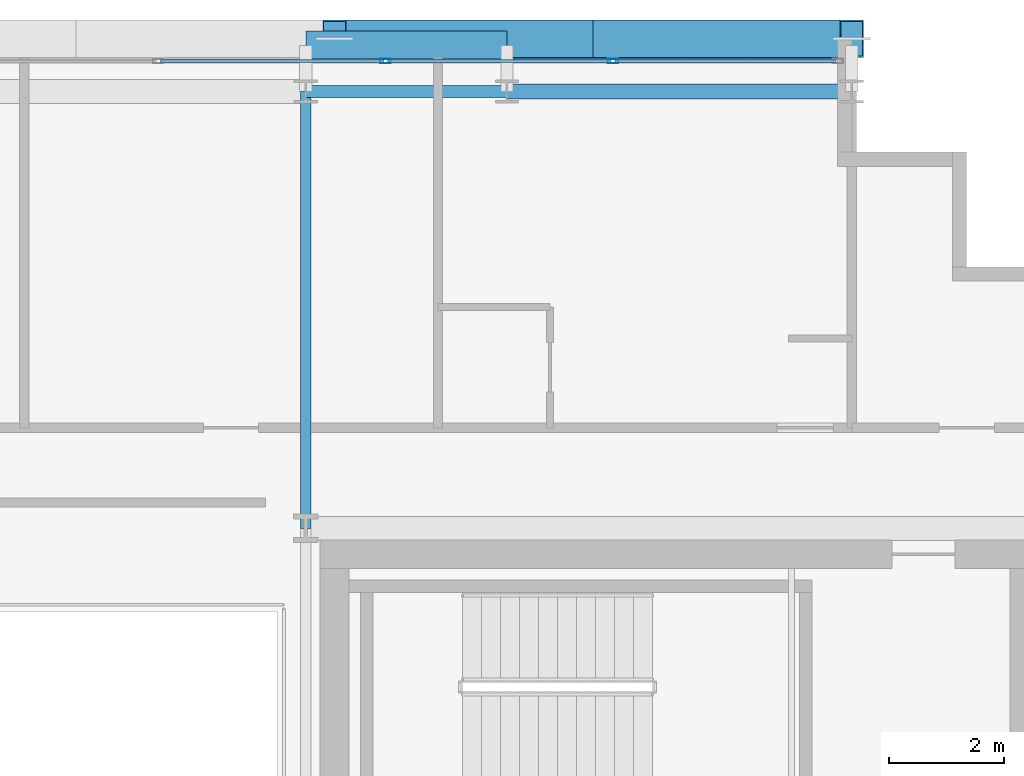
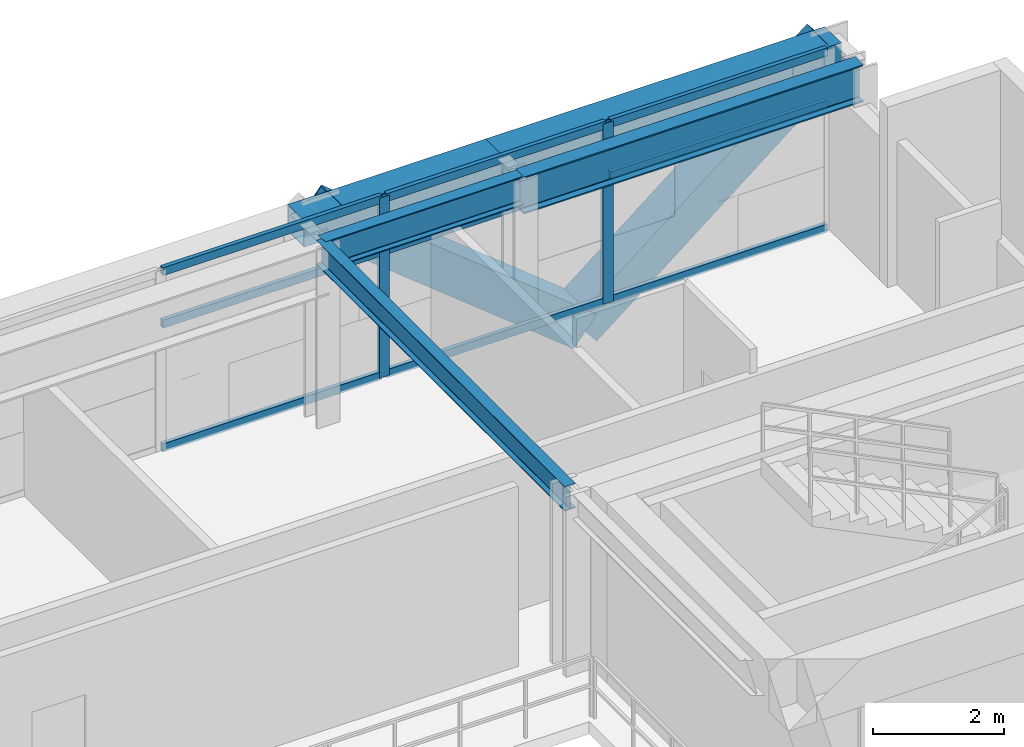
# One storey, part 18 of 31: 13 members, 5 beams, 1 element without a shape of its own.
"""IFC4 building model written with IfcOpenShell, lengths in metres."""

import ifcopenshell
import ifcopenshell.guid

model = None  # the IFC model being written
_history = None  # IfcOwnerHistory: only IFC2X3 demands one
_inside = {}  # id of a spatial element -> (the spatial element, [elements in it])
_under = {}  # id of a project, library or spatial element -> (it, [spatial elements below it])
_declared = {}  # id of a project -> (the project, [libraries it declares])
_typed = {}  # id of a type object -> (the type object, [elements of that type])
_made_of = {}  # id of a material, layer set ... -> (it, [elements and type objects made of it])


def new_model(schema):
    """Start an empty IFC model of exactly this schema.

    Asked for "IFC4X3", IfcOpenShell would pick the latest addendum, in which some entities
    have other attributes; the version numbers below select the first issue.
    IFC2X3 requires an IfcOwnerHistory on every rooted entity: one is made here for all.
    """
    global model, _history
    if schema == "IFC4X3":
        model = ifcopenshell.file(schema_version=(4, 3, 0, 0))
    else:
        model = ifcopenshell.file(schema=schema)
    _inside.clear()
    _under.clear()
    _declared.clear()
    _typed.clear()
    _made_of.clear()
    _history = None
    if model.schema == "IFC2X3":
        org = make("IfcOrganization", Name="unknown")
        user = make(
            "IfcPersonAndOrganization",
            ThePerson=make("IfcPerson", FamilyName="unknown"),
            TheOrganization=org,
        )
        app = make(
            "IfcApplication",
            ApplicationDeveloper=org,
            Version="unknown",
            ApplicationFullName="unknown",
            ApplicationIdentifier="unknown",
        )
        _history = make(
            "IfcOwnerHistory",
            OwningUser=user,
            OwningApplication=app,
            ChangeAction="ADDED",
            CreationDate=0,
        )
    return model


def make(cls, **values):
    """One entity of the class cls with the attributes given. An attribute that is None is left unset."""
    return model.create_entity(
        cls, **{name: value for name, value in values.items() if value is not None}
    )


def rooted(cls, **values):
    """An entity with a GlobalId (a new one), such as an element, a storey or a relation."""
    return make(cls, GlobalId=ifcopenshell.guid.new(), OwnerHistory=_history, **values)


def si_unit(unit_type, name, prefix=None):
    """IfcSIUnit, for example si_unit("LENGTHUNIT", "METRE", prefix="MILLI")."""
    return make("IfcSIUnit", UnitType=unit_type, Prefix=prefix, Name=name)


def assignment(units):
    """IfcUnitAssignment: the units of a project."""
    return None if units is None else make("IfcUnitAssignment", Units=units)


def point(xyz):
    """IfcCartesianPoint."""
    return None if xyz is None else make("IfcCartesianPoint", Coordinates=xyz)


def direction(xyz):
    """IfcDirection."""
    return None if xyz is None else make("IfcDirection", DirectionRatios=xyz)


def frame(location, z_axis=None, x_axis=None):
    """IfcAxis2Placement3D, a coordinate frame: its origin and axes. An axis left out is left unset."""
    return make(
        "IfcAxis2Placement3D",
        Location=point(location),
        Axis=direction(z_axis),
        RefDirection=direction(x_axis),
    )


def frame_2d(location, x_axis=None):
    """IfcAxis2Placement2D, a coordinate frame in the plane: its origin and x axis."""
    return make(
        "IfcAxis2Placement2D", Location=point(location), RefDirection=direction(x_axis)
    )


def origin():
    """The frame at (0, 0, 0) with its axes left unset."""
    return frame((0.0, 0.0, 0.0))


def origin_2d():
    """The frame at (0, 0) in the plane with its x axis left unset."""
    return frame_2d((0.0, 0.0))


def place(relative_to, where):
    """IfcLocalPlacement: puts the frame where relative to a parent placement (None: the world)."""
    return make(
        "IfcLocalPlacement", PlacementRelTo=relative_to, RelativePlacement=where
    )


def context(
    kind, dimensions, precision=None, world=None, true_north=None, identifier=None
):
    """IfcGeometricRepresentationContext, for example the 3D "Model" context."""
    return make(
        "IfcGeometricRepresentationContext",
        ContextIdentifier=identifier,
        ContextType=kind,
        CoordinateSpaceDimension=dimensions,
        Precision=precision,
        WorldCoordinateSystem=world,
        TrueNorth=true_north,
    )


def subcontext(parent, identifier, kind, view, scale=None):
    """IfcGeometricRepresentationSubContext, for example "Body" below "Model"."""
    return make(
        "IfcGeometricRepresentationSubContext",
        ContextIdentifier=identifier,
        ContextType=kind,
        ParentContext=parent,
        TargetScale=scale,
        TargetView=view,
    )


def project(units=None, contexts=None):
    """IfcProject with its units and contexts."""
    return rooted(
        "IfcProject",
        Name="project",
        RepresentationContexts=contexts,
        UnitsInContext=assignment(units),
    )


def spatial(cls, under=None, at=None, **own):
    """A site, building, storey or space (cls), placed at a placement, below another one or the project."""
    s = rooted(cls, ObjectPlacement=at, **own)
    if under is not None:
        _under.setdefault(under.id(), (under, []))[1].append(s)
    return s


def profile(cls, at=None, kind="AREA", **sizes):
    """A parametric profile (cls). Its sizes go by their IFC names, for example OverallWidth=200.0."""
    return make(cls, ProfileType=kind, Position=at, **sizes)


def hollow_rectangle(**sizes):
    """IfcRectangleHollowProfileDef."""
    return profile("IfcRectangleHollowProfileDef", **sizes)


def i_section(**sizes):
    """IfcIShapeProfileDef."""
    return profile("IfcIShapeProfileDef", **sizes)


def extrude(swept, where, along, depth):
    """IfcExtrudedAreaSolid: the profile swept, set in the frame where, extruded along a direction by depth."""
    return make(
        "IfcExtrudedAreaSolid",
        SweptArea=swept,
        Position=where,
        ExtrudedDirection=direction(along),
        Depth=depth,
    )


def shape(context_of_items, identifier, shape_type, items):
    """IfcShapeRepresentation: the items that make up one representation, for example the "Body"."""
    return make(
        "IfcShapeRepresentation",
        ContextOfItems=context_of_items,
        RepresentationIdentifier=identifier,
        RepresentationType=shape_type,
        Items=items,
    )


def source(mapping_origin, context_of_items, identifier, shape_type, items):
    """IfcRepresentationMap: a shape defined once, which mapped items show again and again."""
    return make(
        "IfcRepresentationMap",
        MappingOrigin=mapping_origin,
        MappedRepresentation=shape(context_of_items, identifier, shape_type, items),
    )


def transform(
    local_origin,
    x_axis=None,
    y_axis=None,
    z_axis=None,
    scale=None,
    scale2=None,
    scale3=None,
    uniform=True,
):
    """IfcCartesianTransformationOperator3D, or its non-uniform kind. x_axis, y_axis, z_axis: its Axis1, 2, 3."""
    if uniform:
        return make(
            "IfcCartesianTransformationOperator3D",
            Axis1=direction(x_axis),
            Axis2=direction(y_axis),
            LocalOrigin=point(local_origin),
            Scale=scale,
            Axis3=direction(z_axis),
        )
    return make(
        "IfcCartesianTransformationOperator3DnonUniform",
        Axis1=direction(x_axis),
        Axis2=direction(y_axis),
        LocalOrigin=point(local_origin),
        Scale=scale,
        Axis3=direction(z_axis),
        Scale2=scale2,
        Scale3=scale3,
    )


def mapped(mapping_source, mapping_target):
    """IfcMappedItem: shows the shape of a source again, moved by a transform."""
    return make(
        "IfcMappedItem", MappingSource=mapping_source, MappingTarget=mapping_target
    )


def material(Name=None, Category=None):
    """IfcMaterial."""
    return make("IfcMaterial", Name=Name, Category=Category)


def layer(
    of_material, thickness, ventilated=None, Name=None, Category=None, Priority=None
):
    """IfcMaterialLayer: one layer of a wall or slab, of a material (None: an air gap)."""
    return make(
        "IfcMaterialLayer",
        Material=of_material,
        LayerThickness=thickness,
        IsVentilated=ventilated,
        Name=Name,
        Category=Category,
        Priority=Priority,
    )


def layer_set(layers, Name=None):
    """IfcMaterialLayerSet."""
    return make("IfcMaterialLayerSet", MaterialLayers=layers, LayerSetName=Name)


def material_profile(
    of_material, cross_section, Name=None, Category=None, Priority=None
):
    """IfcMaterialProfile: a cross section and its material."""
    return make(
        "IfcMaterialProfile",
        Name=Name,
        Material=of_material,
        Profile=cross_section,
        Priority=Priority,
        Category=Category,
    )


def profile_set(profiles, Name=None, composite=None):
    """IfcMaterialProfileSet."""
    return make(
        "IfcMaterialProfileSet",
        Name=Name,
        MaterialProfiles=profiles,
        CompositeProfile=composite,
    )


def made_of(thing, what):
    """Note that an element or type object is made of a material, layer set ...; save() writes the relation."""
    if what is not None:
        _made_of.setdefault(what.id(), (what, []))[1].append(thing)
    return thing


def type_object(cls, material=None, **own):
    """A type object (cls), such as IfcWallType, which elements share."""
    return made_of(rooted(cls, **own), material)


def element(
    cls,
    number,
    at=None,
    inside=None,
    cuts=None,
    type_object=None,
    material=None,
    context=None,
    identifier="Body",
    shape_type=None,
    held_by="IfcProductDefinitionShape",
    body=None,
    shapes=None,
    **own,
):
    """One element of the class cls, such as IfcWall. Its Tag is "e" and its number.

    at: its placement. inside: the storey or other place that contains it. cuts: it is an
    opening in that element (IfcRelVoidsElement). A single representation is given by context,
    identifier, shape_type and body (its items); several are given by shapes. held_by: the class
    of the entity that holds the representations. save() writes the other relations.
    """
    e = rooted(cls, Tag="e%d" % number, ObjectPlacement=at, **own)
    if body is not None:
        shapes = [shape(context, identifier, shape_type, body)]
    if shapes is not None:
        e.Representation = make(held_by, Representations=shapes)
    if inside is not None:
        _inside.setdefault(inside.id(), (inside, []))[1].append(e)
    if cuts is not None:
        rooted(
            "IfcRelVoidsElement", RelatingBuildingElement=cuts, RelatedOpeningElement=e
        )
    if type_object is not None:
        _typed.setdefault(type_object.id(), (type_object, []))[1].append(e)
    return made_of(e, material)


def aggregate(whole, parts):
    """IfcRelAggregates: a whole, such as a stair, and the parts it consists of."""
    return rooted("IfcRelAggregates", RelatingObject=whole, RelatedObjects=parts)


def save(model, path):
    """Write the relations noted so far, then the file.

    IfcRelAggregates (storeys below a building ...), IfcRelContainedInSpatialStructure (elements
    in a storey), IfcRelDefinesByType, IfcRelAssociatesMaterial and IfcRelDeclares: one each for
    every whole, place, type object, material and project.
    """
    for whole, parts in _under.values():
        aggregate(whole, parts)
    for where, things in _inside.values():
        rooted(
            "IfcRelContainedInSpatialStructure",
            RelatedElements=things,
            RelatingStructure=where,
        )
    for kind, things in _typed.values():
        rooted("IfcRelDefinesByType", RelatedObjects=things, RelatingType=kind)
    for what, things in _made_of.values():
        rooted("IfcRelAssociatesMaterial", RelatedObjects=things, RelatingMaterial=what)
    for by, libraries in _declared.values():
        rooted("IfcRelDeclares", RelatingContext=by, RelatedDefinitions=libraries)
    model.write(path)


model = new_model("IFC4")

# Units and contexts
model_context = context("Model", 3, precision=1e-05, world=origin(), true_north=direction((0.0, 1.0)))
body_context = subcontext(model_context, "Body", "Model", "MODEL_VIEW")
ifc_project = project(units=[si_unit("LENGTHUNIT", "METRE"), si_unit("AREAUNIT", "SQUARE_METRE"), si_unit("VOLUMEUNIT", "CUBIC_METRE"), si_unit("PLANEANGLEUNIT", "RADIAN"), si_unit("MASSUNIT", "GRAM", prefix="KILO")], contexts=[model_context])

# Site, building, storey
site_placement = place(None, origin())
site = spatial("IfcSite", under=ifc_project, at=site_placement, CompositionType="ELEMENT")
building_placement = place(site_placement, origin())
building = spatial("IfcBuilding", under=site, at=building_placement, Name="Ocotamira Hotel", CompositionType="ELEMENT")
storey_placement = place(building_placement, frame((0.0, 0.0, 199.199951171875)))
storey = spatial("IfcBuildingStorey", under=building, at=storey_placement, Name="L50", CompositionType="ELEMENT", Elevation=199.199951171875)

# Beams
ifc_material_1 = material(Name="Steel ASTM A992 Grade 50", Category="steel")
ifc_material_profile_1 = material_profile(ifc_material_1, i_section(OverallWidth=0.256103515625, OverallDepth=0.693115234375, WebThickness=0.014404296875, FlangeThickness=0.023681640625, FilletRadius=0.01611328125, at=origin_2d()), Name="W27X114")
ifc_profile_set_1 = profile_set([ifc_material_profile_1], Name="Steel ASTM A992 Grade 50")
beam_type_1 = type_object("IfcBeamType", Name="BM-PRIM-W27X114", PredefinedType="BEAM", material=ifc_profile_set_1)
shared_shape_1 = source(origin(), body_context, "Body", "SweptSolid", [
    extrude(i_section(OverallWidth=0.256103515625, OverallDepth=0.693115234375, WebThickness=0.014404296875, FlangeThickness=0.023681640625, FilletRadius=0.01611328125, at=origin_2d()), origin(), (0.0, 0.0, 1.0), 6.0),
])
beam_1_placement = place(storey_placement, frame((44.0, 45.050048828125, 3.0234375), z_axis=(1.0, 0.0, 0.0), x_axis=(0.0, 1.0, 0.0)))
element("IfcBeam", 1, at=beam_1_placement, inside=storey, type_object=beam_type_1, Name="L50 Girder Y45.05 X44-50", PredefinedType="BEAM", context=body_context, shape_type="MappedRepresentation", body=[
    mapped(shared_shape_1, transform((0.0, 0.0, 0.0), scale=1.0)),
])
ifc_material_profile_2 = material_profile(ifc_material_1, i_section(OverallWidth=0.2099609375, OverallDepth=0.537109375, WebThickness=0.010986328125, FlangeThickness=0.017333984375, FilletRadius=0.012939453125, at=origin_2d()), Name="W21X68")
ifc_profile_set_2 = profile_set([ifc_material_profile_2], Name="Steel ASTM A992 Grade 50")
beam_type_2 = type_object("IfcBeamType", Name="BM-SEC-W21X68", PredefinedType="JOIST", material=ifc_profile_set_2)
shared_shape_2 = source(origin(), body_context, "Body", "SweptSolid", [
    extrude(i_section(OverallWidth=0.2099609375, OverallDepth=0.537109375, WebThickness=0.010986328125, FlangeThickness=0.017333984375, FilletRadius=0.012939453125, at=origin_2d()), origin(), (0.0, 0.0, 1.0), 3.5),
])
beam_2_placement = place(storey_placement, frame((40.5, 45.050048828125, 3.1015625), z_axis=(1.0, 0.0, 0.0), x_axis=(0.0, 1.0, 0.0)))
element("IfcBeam", 2, at=beam_2_placement, inside=storey, type_object=beam_type_2, Name="L50 Girder Y45.05 X40.5-44", PredefinedType="JOIST", context=body_context, shape_type="MappedRepresentation", body=[
    mapped(shared_shape_2, transform((0.0, 0.0, 0.0), scale=1.0)),
])
ifc_material_2 = material(Name="Steel ASTM A500 Grade C", Category="steel")
ifc_material_profile_3 = material_profile(ifc_material_2, hollow_rectangle(XDim=0.5, YDim=0.5, WallThickness=0.02001953125, at=origin_2d()), Name="HSS500X500X20")
ifc_profile_set_3 = profile_set([ifc_material_profile_3], Name="Steel ASTM A500 Grade C")
beam_type_3 = type_object("IfcBeamType", Name="BM-SPAN-HSS500", PredefinedType="USERDEFINED", material=ifc_profile_set_3)
shared_shape_3 = source(origin(), body_context, "Body", "SweptSolid", [
    extrude(hollow_rectangle(XDim=0.5, YDim=0.5, WallThickness=0.02001953125, at=origin_2d()), origin(), (0.0, 0.0, 1.0), 6.0),
])
beam_3_placement = place(storey_placement, frame((44.0, 45.85009765625, 3.1201171875), z_axis=(1.0, 0.0, 0.0), x_axis=(0.0, 1.0, 0.0)))
element("IfcBeam", 3, at=beam_3_placement, inside=storey, type_object=beam_type_3, Name="L50 Edge Spandrel N X44-50", ObjectType="SPANDREL", PredefinedType="USERDEFINED", context=body_context, shape_type="MappedRepresentation", body=[
    mapped(shared_shape_3, transform((0.0, 0.0, 0.0), scale=1.0)),
])
shared_shape_4 = source(origin(), body_context, "Body", "SweptSolid", [
    extrude(hollow_rectangle(XDim=0.5, YDim=0.5, WallThickness=0.02001953125, at=origin_2d()), origin(), (0.0, 0.0, 1.0), 3.5),
])
beam_4_placement = place(storey_placement, frame((40.5, 45.85009765625, 3.1201171875), z_axis=(1.0, 0.0, 0.0), x_axis=(0.0, 1.0, 0.0)))
element("IfcBeam", 4, at=beam_4_placement, inside=storey, type_object=beam_type_3, Name="L50 Edge Spandrel N X40.5-44", ObjectType="SPANDREL", PredefinedType="USERDEFINED", context=body_context, shape_type="MappedRepresentation", body=[
    mapped(shared_shape_4, transform((0.0, 0.0, 0.0), scale=1.0)),
])
ifc_material_profile_4 = material_profile(ifc_material_1, i_section(OverallWidth=0.18994140625, OverallDepth=0.45703125, WebThickness=0.009033203125, FlangeThickness=0.014404296875, FilletRadius=0.010009765625, at=origin_2d()), Name="W18X50")
ifc_profile_set_4 = profile_set([ifc_material_profile_4], Name="Steel ASTM A992 Grade 50")
beam_type_4 = type_object("IfcBeamType", Name="BM-SEC-W18X50", PredefinedType="JOIST", material=ifc_profile_set_4)
shared_shape_5 = source(origin(), body_context, "Body", "SweptSolid", [
    extrude(i_section(OverallWidth=0.18994140625, OverallDepth=0.45703125, WebThickness=0.009033203125, FlangeThickness=0.014404296875, FilletRadius=0.010009765625, at=origin_2d()), origin(), (0.0, 0.0, 1.0), 7.60009765625),
])
beam_5_placement = place(storey_placement, frame((40.5, 37.449951171875, 3.1416015625), z_axis=(0.0, 1.0, 0.0), x_axis=(-1.0, 0.0, 0.0)))
element("IfcBeam", 5, at=beam_5_placement, inside=storey, type_object=beam_type_4, Name="L50 Beam X40.5 Y37.45-45.05", PredefinedType="JOIST", context=body_context, shape_type="MappedRepresentation", body=[
    mapped(shared_shape_5, transform((0.0, 0.0, 0.0), scale=1.0)),
])

# Members
ifc_material_3 = material(Name="Pale-metal coated steel ASTM A913 Grade 65", Category="steel")
ifc_material_profile_5 = material_profile(ifc_material_3, hollow_rectangle(XDim=0.64990234375, YDim=0.64990234375, WallThickness=0.02197265625, at=origin_2d()), Name="BOX650X650X22")
ifc_profile_set_5 = profile_set([ifc_material_profile_5], Name="Pale-metal coated steel ASTM A913 Grade 65")
member_type_1 = type_object("IfcMemberType", Name="MEM-EXO-BOX650", PredefinedType="BRACE", material=ifc_profile_set_5)
shared_shape_6 = source(origin(), body_context, "Body", "SweptSolid", [
    extrude(hollow_rectangle(XDim=0.64990234375, YDim=0.64990234375, WallThickness=0.02197265625, at=origin_2d()), origin(), (0.0, 0.0, 1.0), 5.762939453125),
])
for number, where, z_axis, x_axis, name in (
    (6, (45.5, 45.969970703125, -0.47998046875), (-0.780860543151, 0.0, 0.624705380279), (0.0, -1.0, 0.0), "L50 Exoskeleton Diagrid N3.1"),
    (7, (45.5, 45.969970703125, -0.47998046875), (0.780860543151, 0.0, 0.624705380279), (0.0, 1.0, 0.0), "L50 Exoskeleton Diagrid N3.2"),
):
    element("IfcMember", number, at=place(storey_placement, frame(where, z_axis=z_axis, x_axis=x_axis)), inside=storey, type_object=member_type_1, Name=name, PredefinedType="BRACE", context=body_context, shape_type="MappedRepresentation", body=[
        mapped(shared_shape_6, transform((0.0, 0.0, 0.0), scale=1.0)),
    ])

# Curtain wall, members
ifc_material_4 = material(Name="Anodised pale-metal aluminium and solar glass", Category="aluminium")
ifc_layer = layer(ifc_material_4, 0.199951171875)
ifc_layer_set = layer_set([ifc_layer], Name="Anodised pale-metal aluminium and solar glass")
curtain_wall_type = type_object("IfcCurtainWallType", Name="CW-SYS4-Z3", PredefinedType="NOTDEFINED", material=ifc_layer_set)
curtain_wall_placement = place(storey_placement, origin())
curtain_wall = element("IfcCurtainWall", 8, at=curtain_wall_placement, inside=storey, type_object=curtain_wall_type, Name="L50 Curtain Wall CW-4 CW-L50-N", PredefinedType="NOTDEFINED")
ifc_material_5 = material(Name="Anodised pale-metal aluminium 6063-T6", Category="aluminium")
ifc_material_profile_6 = material_profile(ifc_material_5, hollow_rectangle(XDim=0.074951171875, YDim=0.14990234375, WallThickness=0.006103515625, at=origin_2d()), Name="HSS150X75X6")
ifc_profile_set_6 = profile_set([ifc_material_profile_6], Name="Anodised pale-metal aluminium 6063-T6")
member_type_2 = type_object("IfcMemberType", Name="CWT-150X75", PredefinedType="USERDEFINED", material=ifc_profile_set_6)
shared_shape_7 = source(origin(), body_context, "Body", "SweptSolid", [
    extrude(hollow_rectangle(XDim=0.074951171875, YDim=0.14990234375, WallThickness=0.006103515625, at=origin_2d()), origin(), (0.0, 0.0, 1.0), 3.83544921875),
])
member_1_placement = place(storey_placement, frame((45.884521484375, 45.580078125, 0.03759765625), z_axis=(1.0, 0.0, 0.0), x_axis=(0.0, 1.0, 0.0)))
member_1 = element("IfcMember", 9, at=member_1_placement, type_object=member_type_2, Name="CW-4 transom 9.1", ObjectType="TRANSOM", PredefinedType="USERDEFINED", context=body_context, shape_type="MappedRepresentation", body=[
    mapped(shared_shape_7, transform((0.0, 0.0, 0.0), scale=1.0)),
])
member_2_placement = place(storey_placement, frame((45.884521484375, 45.580078125, 2.35009765625), z_axis=(1.0, 0.0, 0.0), x_axis=(0.0, 1.0, 0.0)))
member_2 = element("IfcMember", 10, at=member_2_placement, type_object=member_type_2, Name="CW-4 transom 9.2", ObjectType="TRANSOM", PredefinedType="USERDEFINED", context=body_context, shape_type="MappedRepresentation", body=[
    mapped(shared_shape_7, transform((0.0, 0.0, 0.0), scale=1.0)),
])
member_3_placement = place(storey_placement, frame((45.884521484375, 45.580078125, 3.33251953125), z_axis=(1.0, 0.0, 0.0), x_axis=(0.0, 1.0, 0.0)))
member_3 = element("IfcMember", 11, at=member_3_placement, type_object=member_type_2, Name="CW-4 transom 9.3", ObjectType="TRANSOM", PredefinedType="USERDEFINED", context=body_context, shape_type="MappedRepresentation", body=[
    mapped(shared_shape_7, transform((0.0, 0.0, 0.0), scale=1.0)),
])
shared_shape_8 = source(origin(), body_context, "Body", "SweptSolid", [
    extrude(hollow_rectangle(XDim=0.074951171875, YDim=0.14990234375, WallThickness=0.006103515625, at=origin_2d()), origin(), (0.0, 0.0, 1.0), 3.87548828125),
])
member_4_placement = place(storey_placement, frame((37.973388671875, 45.580078125, 0.03759765625), z_axis=(1.0, 0.0, 0.0), x_axis=(0.0, 1.0, 0.0)))
member_4 = element("IfcMember", 12, at=member_4_placement, type_object=member_type_2, Name="CW-4 transom 7.1", ObjectType="TRANSOM", PredefinedType="USERDEFINED", context=body_context, shape_type="MappedRepresentation", body=[
    mapped(shared_shape_8, transform((0.0, 0.0, 0.0), scale=1.0)),
])
member_5_placement = place(storey_placement, frame((37.973388671875, 45.580078125, 2.35009765625), z_axis=(1.0, 0.0, 0.0), x_axis=(0.0, 1.0, 0.0)))
member_5 = element("IfcMember", 13, at=member_5_placement, type_object=member_type_2, Name="CW-4 transom 7.2", ObjectType="TRANSOM", PredefinedType="USERDEFINED", context=body_context, shape_type="MappedRepresentation", body=[
    mapped(shared_shape_8, transform((0.0, 0.0, 0.0), scale=1.0)),
])
member_6_placement = place(storey_placement, frame((37.973388671875, 45.580078125, 3.33251953125), z_axis=(1.0, 0.0, 0.0), x_axis=(0.0, 1.0, 0.0)))
member_6 = element("IfcMember", 14, at=member_6_placement, type_object=member_type_2, Name="CW-4 transom 7.3", ObjectType="TRANSOM", PredefinedType="USERDEFINED", context=body_context, shape_type="MappedRepresentation", body=[
    mapped(shared_shape_8, transform((0.0, 0.0, 0.0), scale=1.0)),
])
member_7_placement = place(storey_placement, frame((41.928955078125, 45.580078125, 0.03759765625), z_axis=(1.0, 0.0, 0.0), x_axis=(0.0, 1.0, 0.0)))
member_7 = element("IfcMember", 15, at=member_7_placement, type_object=member_type_2, Name="CW-4 transom 8.1", ObjectType="TRANSOM", PredefinedType="USERDEFINED", context=body_context, shape_type="MappedRepresentation", body=[
    mapped(shared_shape_8, transform((0.0, 0.0, 0.0), scale=1.0)),
])
member_8_placement = place(storey_placement, frame((41.928955078125, 45.580078125, 2.35009765625), z_axis=(1.0, 0.0, 0.0), x_axis=(0.0, 1.0, 0.0)))
member_8 = element("IfcMember", 16, at=member_8_placement, type_object=member_type_2, Name="CW-4 transom 8.2", ObjectType="TRANSOM", PredefinedType="USERDEFINED", context=body_context, shape_type="MappedRepresentation", body=[
    mapped(shared_shape_8, transform((0.0, 0.0, 0.0), scale=1.0)),
])
member_9_placement = place(storey_placement, frame((41.928955078125, 45.580078125, 3.33251953125), z_axis=(1.0, 0.0, 0.0), x_axis=(0.0, 1.0, 0.0)))
member_9 = element("IfcMember", 17, at=member_9_placement, type_object=member_type_2, Name="CW-4 transom 8.3", ObjectType="TRANSOM", PredefinedType="USERDEFINED", context=body_context, shape_type="MappedRepresentation", body=[
    mapped(shared_shape_8, transform((0.0, 0.0, 0.0), scale=1.0)),
])
ifc_material_profile_7 = material_profile(ifc_material_5, hollow_rectangle(XDim=0.080078125, YDim=0.179931640625, WallThickness=0.006103515625, at=origin_2d()), Name="HSS180X80X6")
ifc_profile_set_7 = profile_set([ifc_material_profile_7], Name="Anodised pale-metal aluminium 6063-T6")
member_type_3 = type_object("IfcMemberType", Name="CWM-180X75", PredefinedType="MULLION", material=ifc_profile_set_7)
shared_shape_9 = source(origin(), body_context, "Body", "SweptSolid", [
    extrude(hollow_rectangle(XDim=0.080078125, YDim=0.179931640625, WallThickness=0.006103515625, at=origin_2d()), origin(), (0.0, 0.0, 1.0), 3.3701171875),
])
member_10_placement = place(storey_placement, frame((41.888916015625, 45.580078125, 0.0), z_axis=(0.0, 0.0, 1.0), x_axis=(0.0, 1.0, 0.0)))
member_10 = element("IfcMember", 18, at=member_10_placement, type_object=member_type_3, Name="CW-4 mullion 8", PredefinedType="MULLION", context=body_context, shape_type="MappedRepresentation", body=[
    mapped(shared_shape_9, transform((0.0, 0.0, 0.0), scale=1.0)),
])
member_11_placement = place(storey_placement, frame((45.844482421875, 45.580078125, 0.0), z_axis=(0.0, 0.0, 1.0), x_axis=(0.0, 1.0, 0.0)))
member_11 = element("IfcMember", 19, at=member_11_placement, type_object=member_type_3, Name="CW-4 mullion 9", PredefinedType="MULLION", context=body_context, shape_type="MappedRepresentation", body=[
    mapped(shared_shape_9, transform((0.0, 0.0, 0.0), scale=1.0)),
])
aggregate(curtain_wall, [member_10, member_11, member_4, member_5, member_6, member_7, member_8, member_9, member_1, member_2, member_3])

save(model, "model.ifc")
